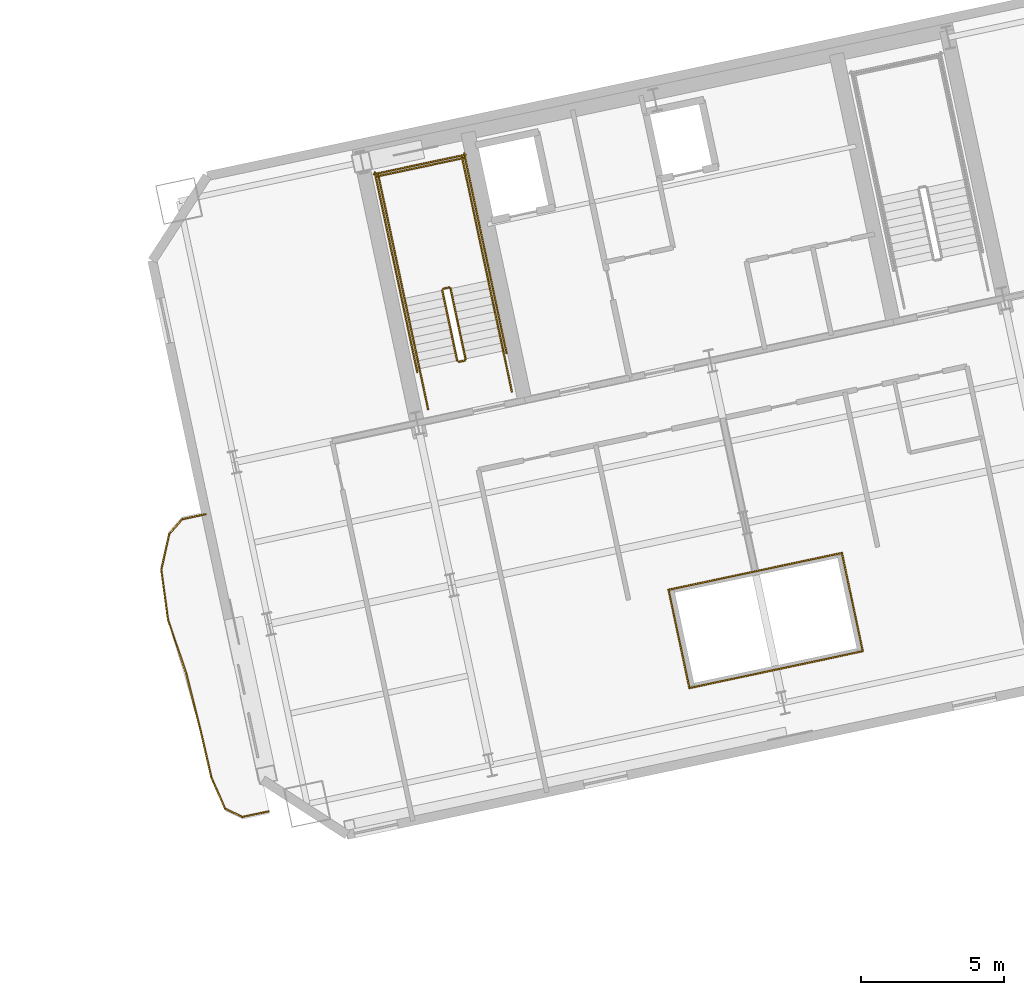
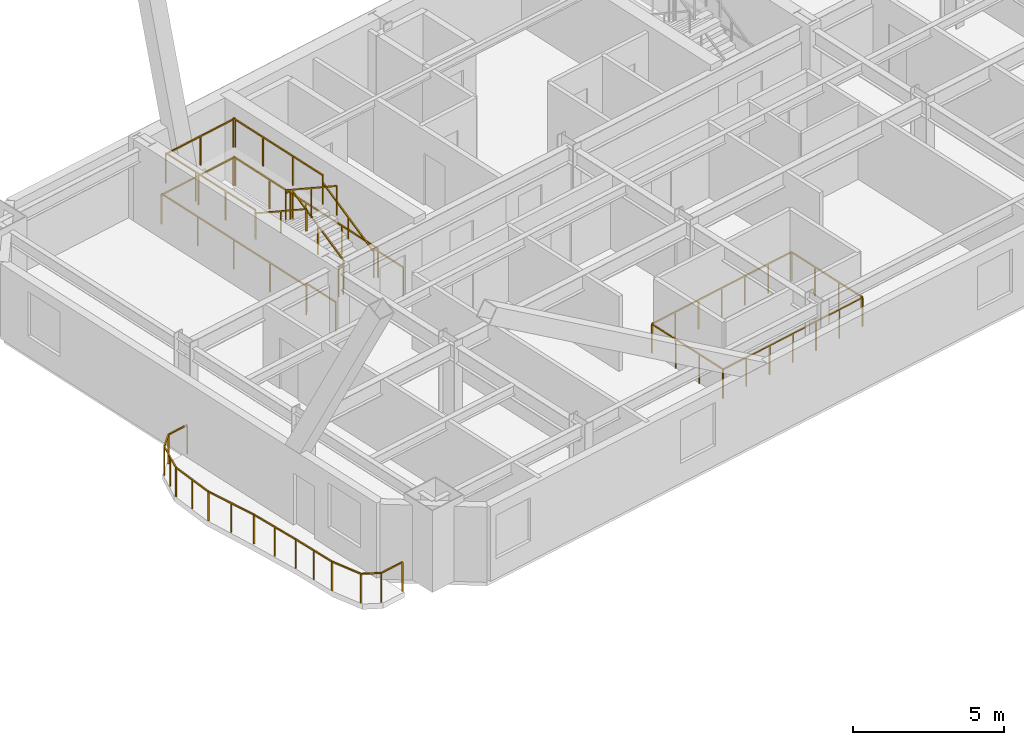
# One storey, part 13 of 14: 28 railings.
"""IFC4 building model written with IfcOpenShell, lengths in metres."""

from ifc_helpers import new_model, si_unit, direction, frame, origin, origin_2d, place, context, subcontext, project, spatial, rectangle, extrude, material, type_object, element, save


model = new_model("IFC4")

# Units and contexts
model_context = context("Model", 3, precision=1e-05, world=origin(), true_north=direction((0.0, 1.0)))
body_context = subcontext(model_context, "Body", "Model", "MODEL_VIEW")
ifc_project = project(units=[si_unit("LENGTHUNIT", "METRE"), si_unit("AREAUNIT", "SQUARE_METRE"), si_unit("VOLUMEUNIT", "CUBIC_METRE"), si_unit("PLANEANGLEUNIT", "RADIAN"), si_unit("MASSUNIT", "GRAM", prefix="KILO")], contexts=[model_context])

# Site, building, storey
site_placement = place(None, origin())
site = spatial("IfcSite", under=ifc_project, at=site_placement, CompositionType="ELEMENT")
building_placement = place(site_placement, origin())
building = spatial("IfcBuilding", under=site, at=building_placement, Name="Haevon Station Towers", CompositionType="ELEMENT")
storey_placement = place(building_placement, frame((0.0, 0.0, 123.0)))
storey = spatial("IfcBuildingStorey", under=building, at=storey_placement, Name="L33", CompositionType="ELEMENT", Elevation=123.0)

# Railings
ifc_material = material(Name="Steel S355", Category="steel")
railing_type_1 = type_object("IfcRailingType", Name="BAL-ATR1200", PredefinedType="BALUSTRADE", material=ifc_material)
railing_1_placement = place(storey_placement, frame((108.28564453125, 28.16259765625, 0.0)))
element("IfcRailing", 1, at=railing_1_placement, inside=storey, type_object=railing_type_1, Name="L33 Atrium Void Balustrade 1", PredefinedType="BALUSTRADE", context=body_context, shape_type="SweptSolid", body=[
    extrude(rectangle(XDim=0.048095703125, YDim=0.048095703125, at=origin_2d()), frame((0.0, 0.0, 1.17578125), z_axis=(0.978152054879, 0.207890734609, 0.0), x_axis=(-0.207890734609, 0.978152054879, 0.0)), (0.0, 0.0, 1.0), 6.208984375),
    extrude(rectangle(XDim=0.0419921875, YDim=0.0419921875, at=origin_2d()), origin(), (0.0, 0.0, 1.0), 1.15185546875),
    extrude(rectangle(XDim=0.0419921875, YDim=0.0419921875, at=origin_2d()), frame((1.01220703125, 0.215087890625, 0.0)), (0.0, 0.0, 1.0), 1.15185546875),
    extrude(rectangle(XDim=0.0419921875, YDim=0.0419921875, at=origin_2d()), frame((2.0244140625, 0.43017578125, 0.0)), (0.0, 0.0, 1.0), 1.15185546875),
    extrude(rectangle(XDim=0.0419921875, YDim=0.0419921875, at=origin_2d()), frame((3.03662109375, 0.6455078125, 0.0)), (0.0, 0.0, 1.0), 1.15185546875),
    extrude(rectangle(XDim=0.0419921875, YDim=0.0419921875, at=origin_2d()), frame((4.048828125, 0.860595703125, 0.0)), (0.0, 0.0, 1.0), 1.15185546875),
    extrude(rectangle(XDim=0.0419921875, YDim=0.0419921875, at=origin_2d()), frame((5.06103515625, 1.07568359375, 0.0)), (0.0, 0.0, 1.0), 1.15185546875),
    extrude(rectangle(XDim=0.0419921875, YDim=0.0419921875, at=origin_2d()), frame((6.0732421875, 1.290771484375, 0.0)), (0.0, 0.0, 1.0), 1.15185546875),
])
railing_2_placement = place(storey_placement, frame((114.35888671875, 29.453369140625, 0.0)))
element("IfcRailing", 2, at=railing_2_placement, inside=storey, type_object=railing_type_1, Name="L33 Atrium Void Balustrade 2", PredefinedType="BALUSTRADE", context=body_context, shape_type="SweptSolid", body=[
    extrude(rectangle(XDim=0.048095703125, YDim=0.048095703125, at=origin_2d()), frame((0.0, 0.0, 1.17578125), z_axis=(-0.207964983384, 0.978136271532, 0.0), x_axis=(-0.978136271532, -0.207964983384, 0.0)), (0.0, 0.0, 1.0), 3.518310546875),
    extrude(rectangle(XDim=0.0419921875, YDim=0.0419921875, at=origin_2d()), origin(), (0.0, 0.0, 1.0), 1.15185546875),
    extrude(rectangle(XDim=0.0419921875, YDim=0.0419921875, at=origin_2d()), frame((-0.243896484375, 1.147216796875, 0.0)), (0.0, 0.0, 1.0), 1.15185546875),
    extrude(rectangle(XDim=0.0419921875, YDim=0.0419921875, at=origin_2d()), frame((-0.48779296875, 2.294189453125, 0.0)), (0.0, 0.0, 1.0), 1.15185546875),
    extrude(rectangle(XDim=0.0419921875, YDim=0.0419921875, at=origin_2d()), frame((-0.731689453125, 3.44140625, 0.0)), (0.0, 0.0, 1.0), 1.15185546875),
])
railing_3_placement = place(storey_placement, frame((113.627197265625, 32.894775390625, 0.0)))
element("IfcRailing", 3, at=railing_3_placement, inside=storey, type_object=railing_type_1, Name="L33 Atrium Void Balustrade 3", PredefinedType="BALUSTRADE", context=body_context, shape_type="SweptSolid", body=[
    extrude(rectangle(XDim=0.048095703125, YDim=0.048095703125, at=origin_2d()), frame((0.0, 0.0, 1.17578125), z_axis=(-0.978150355379, -0.20789873081, 0.0), x_axis=(0.20789873081, -0.978150355379, 0.0)), (0.0, 0.0, 1.0), 6.208740234375),
    extrude(rectangle(XDim=0.0419921875, YDim=0.0419921875, at=origin_2d()), origin(), (0.0, 0.0, 1.0), 1.15185546875),
    extrude(rectangle(XDim=0.0419921875, YDim=0.0419921875, at=origin_2d()), frame((-1.01220703125, -0.215087890625, 0.0)), (0.0, 0.0, 1.0), 1.15185546875),
    extrude(rectangle(XDim=0.0419921875, YDim=0.0419921875, at=origin_2d()), frame((-2.0244140625, -0.43017578125, 0.0)), (0.0, 0.0, 1.0), 1.15185546875),
    extrude(rectangle(XDim=0.0419921875, YDim=0.0419921875, at=origin_2d()), frame((-3.03662109375, -0.6455078125, 0.0)), (0.0, 0.0, 1.0), 1.15185546875),
    extrude(rectangle(XDim=0.0419921875, YDim=0.0419921875, at=origin_2d()), frame((-4.048583984375, -0.860595703125, 0.0)), (0.0, 0.0, 1.0), 1.15185546875),
    extrude(rectangle(XDim=0.0419921875, YDim=0.0419921875, at=origin_2d()), frame((-5.060791015625, -1.07568359375, 0.0)), (0.0, 0.0, 1.0), 1.15185546875),
    extrude(rectangle(XDim=0.0419921875, YDim=0.0419921875, at=origin_2d()), frame((-6.072998046875, -1.290771484375, 0.0)), (0.0, 0.0, 1.0), 1.15185546875),
])
railing_4_placement = place(storey_placement, frame((107.55419921875, 31.60400390625, 0.0)))
element("IfcRailing", 4, at=railing_4_placement, inside=storey, type_object=railing_type_1, Name="L33 Atrium Void Balustrade 4", PredefinedType="BALUSTRADE", context=body_context, shape_type="SweptSolid", body=[
    extrude(rectangle(XDim=0.048095703125, YDim=0.048095703125, at=origin_2d()), frame((0.0, 0.0, 1.17578125), z_axis=(0.207898592019, -0.978150384878, 0.0), x_axis=(0.978150384878, 0.207898592019, 0.0)), (0.0, 0.0, 1.0), 3.518310546875),
    extrude(rectangle(XDim=0.0419921875, YDim=0.0419921875, at=origin_2d()), origin(), (0.0, 0.0, 1.0), 1.15185546875),
    extrude(rectangle(XDim=0.0419921875, YDim=0.0419921875, at=origin_2d()), frame((0.243896484375, -1.147216796875, 0.0)), (0.0, 0.0, 1.0), 1.15185546875),
    extrude(rectangle(XDim=0.0419921875, YDim=0.0419921875, at=origin_2d()), frame((0.487548828125, -2.294189453125, 0.0)), (0.0, 0.0, 1.0), 1.15185546875),
    extrude(rectangle(XDim=0.0419921875, YDim=0.0419921875, at=origin_2d()), frame((0.7314453125, -3.44140625, 0.0)), (0.0, 0.0, 1.0), 1.15185546875),
])
railing_type_2 = type_object("IfcRailingType", Name="GRD-EXT1200", PredefinedType="GUARDRAIL", material=ifc_material)
railing_5_placement = place(storey_placement, frame((91.329833984375, 34.251708984375, 0.0)))
element("IfcRailing", 5, at=railing_5_placement, inside=storey, type_object=railing_type_2, Name="L33 Perimeter Guardrail 1", PredefinedType="GUARDRAIL", context=body_context, shape_type="SweptSolid", body=[
    extrude(rectangle(XDim=0.048095703125, YDim=0.048095703125, at=origin_2d()), frame((0.0, 0.0, 1.17578125), z_axis=(-0.977678572445, -0.210106185017, 0.0), x_axis=(0.210106185017, -0.977678572445, 0.0)), (0.0, 0.0, 1.0), 0.837890625),
    extrude(rectangle(XDim=0.0419921875, YDim=0.0419921875, at=origin_2d()), origin(), (0.0, 0.0, 1.0), 1.15185546875),
    extrude(rectangle(XDim=0.0419921875, YDim=0.0419921875, at=origin_2d()), frame((-0.819091796875, -0.176025390625, 0.0)), (0.0, 0.0, 1.0), 1.15185546875),
])
railing_6_placement = place(storey_placement, frame((90.5107421875, 34.07568359375, 0.0)))
element("IfcRailing", 6, at=railing_6_placement, inside=storey, type_object=railing_type_2, Name="L33 Perimeter Guardrail 2", PredefinedType="GUARDRAIL", context=body_context, shape_type="SweptSolid", body=[
    extrude(rectangle(XDim=0.048095703125, YDim=0.048095703125, at=origin_2d()), frame((0.0, 0.0, 1.17578125), z_axis=(-0.660060025651, -0.751212861004, 0.0), x_axis=(0.751212861004, -0.660060025651, 0.0)), (0.0, 0.0, 1.0), 0.688232421875),
    extrude(rectangle(XDim=0.0419921875, YDim=0.0419921875, at=origin_2d()), origin(), (0.0, 0.0, 1.0), 1.15185546875),
    extrude(rectangle(XDim=0.0419921875, YDim=0.0419921875, at=origin_2d()), frame((-0.454345703125, -0.51708984375, 0.0)), (0.0, 0.0, 1.0), 1.15185546875),
])
railing_7_placement = place(storey_placement, frame((90.056396484375, 33.55859375, 0.0)))
element("IfcRailing", 7, at=railing_7_placement, inside=storey, type_object=railing_type_2, Name="L33 Perimeter Guardrail 3", PredefinedType="GUARDRAIL", context=body_context, shape_type="SweptSolid", body=[
    extrude(rectangle(XDim=0.048095703125, YDim=0.048095703125, at=origin_2d()), frame((0.0, 0.0, 1.17578125), z_axis=(-0.215702809337, -0.97645906112, 0.0), x_axis=(0.97645906112, -0.215702809337, 0.0)), (0.0, 0.0, 1.0), 1.28466796875),
    extrude(rectangle(XDim=0.0419921875, YDim=0.0419921875, at=origin_2d()), origin(), (0.0, 0.0, 1.0), 1.15185546875),
    extrude(rectangle(XDim=0.0419921875, YDim=0.0419921875, at=origin_2d()), frame((-0.138671875, -0.627197265625, 0.0)), (0.0, 0.0, 1.0), 1.15185546875),
    extrude(rectangle(XDim=0.0419921875, YDim=0.0419921875, at=origin_2d()), frame((-0.277099609375, -1.25439453125, 0.0)), (0.0, 0.0, 1.0), 1.15185546875),
])
railing_8_placement = place(storey_placement, frame((89.779296875, 32.30419921875, 0.0)))
element("IfcRailing", 8, at=railing_8_placement, inside=storey, type_object=railing_type_2, Name="L33 Perimeter Guardrail 4", PredefinedType="GUARDRAIL", context=body_context, shape_type="SweptSolid", body=[
    extrude(rectangle(XDim=0.048095703125, YDim=0.048095703125, at=origin_2d()), frame((0.0, 0.0, 1.17578125), z_axis=(0.134435548682, -0.990922339667, 0.0), x_axis=(0.990922339667, 0.134435548682, 0.0)), (0.0, 0.0, 1.0), 1.75244140625),
    extrude(rectangle(XDim=0.0419921875, YDim=0.0419921875, at=origin_2d()), origin(), (0.0, 0.0, 1.0), 1.15185546875),
    extrude(rectangle(XDim=0.0419921875, YDim=0.0419921875, at=origin_2d()), frame((0.11767578125, -0.8681640625, 0.0)), (0.0, 0.0, 1.0), 1.15185546875),
    extrude(rectangle(XDim=0.0419921875, YDim=0.0419921875, at=origin_2d()), frame((0.235595703125, -1.736572265625, 0.0)), (0.0, 0.0, 1.0), 1.15185546875),
])
railing_9_placement = place(storey_placement, frame((90.014892578125, 30.567626953125, 0.0)))
element("IfcRailing", 9, at=railing_9_placement, inside=storey, type_object=railing_type_2, Name="L33 Perimeter Guardrail 5", PredefinedType="GUARDRAIL", context=body_context, shape_type="SweptSolid", body=[
    extrude(rectangle(XDim=0.048095703125, YDim=0.048095703125, at=origin_2d()), frame((0.0, 0.0, 1.17578125), z_axis=(0.318856293705, -0.947803072354, 0.0), x_axis=(0.947803072354, 0.318856293705, 0.0)), (0.0, 0.0, 1.0), 2.00537109375),
    extrude(rectangle(XDim=0.0419921875, YDim=0.0419921875, at=origin_2d()), origin(), (0.0, 0.0, 1.0), 1.15185546875),
    extrude(rectangle(XDim=0.0419921875, YDim=0.0419921875, at=origin_2d()), frame((0.31982421875, -0.9501953125, 0.0)), (0.0, 0.0, 1.0), 1.15185546875),
    extrude(rectangle(XDim=0.0419921875, YDim=0.0419921875, at=origin_2d()), frame((0.639404296875, -1.900634765625, 0.0)), (0.0, 0.0, 1.0), 1.15185546875),
])
railing_10_placement = place(storey_placement, frame((90.654296875, 28.6669921875, 0.0)))
element("IfcRailing", 10, at=railing_10_placement, inside=storey, type_object=railing_type_2, Name="L33 Perimeter Guardrail 6", PredefinedType="GUARDRAIL", context=body_context, shape_type="SweptSolid", body=[
    extrude(rectangle(XDim=0.048095703125, YDim=0.048095703125, at=origin_2d()), frame((0.0, 0.0, 1.17578125), z_axis=(0.245103723825, -0.969496861556, 0.0), x_axis=(0.969496861556, 0.245103723825, 0.0)), (0.0, 0.0, 1.0), 1.990234375),
    extrude(rectangle(XDim=0.0419921875, YDim=0.0419921875, at=origin_2d()), origin(), (0.0, 0.0, 1.0), 1.15185546875),
    extrude(rectangle(XDim=0.0419921875, YDim=0.0419921875, at=origin_2d()), frame((0.243896484375, -0.96484375, 0.0)), (0.0, 0.0, 1.0), 1.15185546875),
    extrude(rectangle(XDim=0.0419921875, YDim=0.0419921875, at=origin_2d()), frame((0.48779296875, -1.929443359375, 0.0)), (0.0, 0.0, 1.0), 1.15185546875),
])
railing_11_placement = place(storey_placement, frame((91.14208984375, 26.737548828125, 0.0)))
element("IfcRailing", 11, at=railing_11_placement, inside=storey, type_object=railing_type_2, Name="L33 Perimeter Guardrail 7", PredefinedType="GUARDRAIL", context=body_context, shape_type="SweptSolid", body=[
    extrude(rectangle(XDim=0.048095703125, YDim=0.048095703125, at=origin_2d()), frame((0.0, 0.0, 1.17578125), z_axis=(0.225103963222, -0.974334750351, 0.0), x_axis=(0.974334750351, 0.225103963222, 0.0)), (0.0, 0.0, 1.0), 1.75048828125),
    extrude(rectangle(XDim=0.0419921875, YDim=0.0419921875, at=origin_2d()), origin(), (0.0, 0.0, 1.0), 1.15185546875),
    extrude(rectangle(XDim=0.0419921875, YDim=0.0419921875, at=origin_2d()), frame((0.197021484375, -0.852783203125, 0.0)), (0.0, 0.0, 1.0), 1.15185546875),
    extrude(rectangle(XDim=0.0419921875, YDim=0.0419921875, at=origin_2d()), frame((0.39404296875, -1.70556640625, 0.0)), (0.0, 0.0, 1.0), 1.15185546875),
])
railing_12_placement = place(storey_placement, frame((91.5361328125, 25.031982421875, 0.0)))
element("IfcRailing", 12, at=railing_12_placement, inside=storey, type_object=railing_type_2, Name="L33 Perimeter Guardrail 8", PredefinedType="GUARDRAIL", context=body_context, shape_type="SweptSolid", body=[
    extrude(rectangle(XDim=0.048095703125, YDim=0.048095703125, at=origin_2d()), frame((0.0, 0.0, 1.17578125), z_axis=(0.399069961268, -0.916920479656, 0.0), x_axis=(0.916920479656, 0.399069961268, 0.0)), (0.0, 0.0, 1.0), 1.194091796875),
    extrude(rectangle(XDim=0.0419921875, YDim=0.0419921875, at=origin_2d()), origin(), (0.0, 0.0, 1.0), 1.15185546875),
    extrude(rectangle(XDim=0.0419921875, YDim=0.0419921875, at=origin_2d()), frame((0.4765625, -1.094970703125, 0.0)), (0.0, 0.0, 1.0), 1.15185546875),
])
railing_13_placement = place(storey_placement, frame((92.0126953125, 23.93701171875, 0.0)))
element("IfcRailing", 13, at=railing_13_placement, inside=storey, type_object=railing_type_2, Name="L33 Perimeter Guardrail 9", PredefinedType="GUARDRAIL", context=body_context, shape_type="SweptSolid", body=[
    extrude(rectangle(XDim=0.048095703125, YDim=0.048095703125, at=origin_2d()), frame((0.0, 0.0, 1.17578125), z_axis=(0.901562667604, -0.432648536786, 0.0), x_axis=(0.432648536786, 0.901562667604, 0.0)), (0.0, 0.0, 1.0), 0.673095703125),
    extrude(rectangle(XDim=0.0419921875, YDim=0.0419921875, at=origin_2d()), origin(), (0.0, 0.0, 1.0), 1.15185546875),
    extrude(rectangle(XDim=0.0419921875, YDim=0.0419921875, at=origin_2d()), frame((0.60693359375, -0.291259765625, 0.0)), (0.0, 0.0, 1.0), 1.15185546875),
])
railing_14_placement = place(storey_placement, frame((92.61962890625, 23.645751953125, 0.0)))
element("IfcRailing", 14, at=railing_14_placement, inside=storey, type_object=railing_type_2, Name="L33 Perimeter Guardrail 10", PredefinedType="GUARDRAIL", context=body_context, shape_type="SweptSolid", body=[
    extrude(rectangle(XDim=0.048095703125, YDim=0.048095703125, at=origin_2d()), frame((0.0, 0.0, 1.17578125), z_axis=(0.978612883571, 0.205710534754, 0.0), x_axis=(-0.205710534754, 0.978612883571, 0.0)), (0.0, 0.0, 1.0), 0.943603515625),
    extrude(rectangle(XDim=0.0419921875, YDim=0.0419921875, at=origin_2d()), origin(), (0.0, 0.0, 1.0), 1.15185546875),
    extrude(rectangle(XDim=0.0419921875, YDim=0.0419921875, at=origin_2d()), frame((0.92333984375, 0.194091796875, 0.0)), (0.0, 0.0, 1.0), 1.15185546875),
])
railing_type_3 = type_object("IfcRailingType", Name="GRD-STR1200", PredefinedType="GUARDRAIL", material=ifc_material)
railing_15_placement = place(storey_placement, frame((100.44140625, 39.69287109375, 0.1650390625)))
element("IfcRailing", 15, at=railing_15_placement, inside=storey, type_object=railing_type_3, Name="L33 ST3 Stair Guard 1", PredefinedType="GUARDRAIL", context=body_context, shape_type="SweptSolid", body=[
    extrude(rectangle(XDim=0.048095703125, YDim=0.048095703125, at=origin_2d()), frame((0.0, 0.0, 1.17578125), z_axis=(-0.179128856099, 0.842723639875, 0.507670877349), x_axis=(-0.978147030254, -0.207914374695, 0.0)), (0.0, 0.0, 1.0), 2.9248046875),
    extrude(rectangle(XDim=0.0419921875, YDim=0.0419921875, at=origin_2d()), origin(), (0.0, 0.0, 1.0), 1.15185546875),
    extrude(rectangle(XDim=0.0419921875, YDim=0.0419921875, at=origin_2d()), frame((-0.261962890625, 1.232421875, 0.742431640625)), (0.0, 0.0, 1.0), 1.15185546875),
    extrude(rectangle(XDim=0.0419921875, YDim=0.0419921875, at=origin_2d()), frame((-0.52392578125, 2.46484375, 1.48486328125)), (0.0, 0.0, 1.0), 1.15185546875),
])
railing_16_placement = place(storey_placement, frame((99.858154296875, 42.1962890625, 1.64990234375)))
element("IfcRailing", 16, at=railing_16_placement, inside=storey, type_object=railing_type_3, Name="L33 ST3 Stair Guard 2", PredefinedType="GUARDRAIL", context=body_context, shape_type="SweptSolid", body=[
    extrude(rectangle(XDim=0.048095703125, YDim=0.048095703125, at=origin_2d()), frame((0.0, 0.0, 1.17578125), z_axis=(-0.977962931203, -0.208778603291, 0.0), x_axis=(0.208778603291, -0.977962931203, 0.0)), (0.0, 0.0, 1.0), 0.199951171875),
    extrude(rectangle(XDim=0.0419921875, YDim=0.0419921875, at=origin_2d()), origin(), (0.0, 0.0, 1.0), 1.15185546875),
    extrude(rectangle(XDim=0.0419921875, YDim=0.0419921875, at=origin_2d()), frame((-0.195556640625, -0.041748046875, 0.0)), (0.0, 0.0, 1.0), 1.15185546875),
])
railing_17_placement = place(storey_placement, frame((101.238037109375, 42.4384765625, 1.64990234375)))
element("IfcRailing", 17, at=railing_17_placement, inside=storey, type_object=railing_type_3, Name="L33 ST3 Stair Guard 3", PredefinedType="GUARDRAIL", context=body_context, shape_type="SweptSolid", body=[
    extrude(rectangle(XDim=0.048095703125, YDim=0.048095703125, at=origin_2d()), frame((0.0, 0.0, 1.17578125), z_axis=(-0.20794048909, 0.978141479029, 0.0), x_axis=(-0.978141479029, -0.20794048909, 0.0)), (0.0, 0.0, 1.0), 4.429931640625),
    extrude(rectangle(XDim=0.0419921875, YDim=0.0419921875, at=origin_2d()), origin(), (0.0, 0.0, 1.0), 1.15185546875),
    extrude(rectangle(XDim=0.0419921875, YDim=0.0419921875, at=origin_2d()), frame((-0.30712890625, 1.4443359375, 0.0)), (0.0, 0.0, 1.0), 1.15185546875),
    extrude(rectangle(XDim=0.0419921875, YDim=0.0419921875, at=origin_2d()), frame((-0.614013671875, 2.888671875, 0.0)), (0.0, 0.0, 1.0), 1.15185546875),
    extrude(rectangle(XDim=0.0419921875, YDim=0.0419921875, at=origin_2d()), frame((-0.921142578125, 4.3330078125, 0.0)), (0.0, 0.0, 1.0), 1.15185546875),
])
railing_18_placement = place(storey_placement, frame((98.303466796875, 41.814697265625, 1.64990234375)))
element("IfcRailing", 18, at=railing_18_placement, inside=storey, type_object=railing_type_3, Name="L33 ST3 Stair Guard 4", PredefinedType="GUARDRAIL", context=body_context, shape_type="SweptSolid", body=[
    extrude(rectangle(XDim=0.048095703125, YDim=0.048095703125, at=origin_2d()), frame((0.0, 0.0, 1.17578125), z_axis=(-0.207876551949, 0.978155069071, 0.0), x_axis=(-0.978155069071, -0.207876551949, 0.0)), (0.0, 0.0, 1.0), 4.429931640625),
    extrude(rectangle(XDim=0.0419921875, YDim=0.0419921875, at=origin_2d()), origin(), (0.0, 0.0, 1.0), 1.15185546875),
    extrude(rectangle(XDim=0.0419921875, YDim=0.0419921875, at=origin_2d()), frame((-0.306884765625, 1.4443359375, 0.0)), (0.0, 0.0, 1.0), 1.15185546875),
    extrude(rectangle(XDim=0.0419921875, YDim=0.0419921875, at=origin_2d()), frame((-0.614013671875, 2.888916015625, 0.0)), (0.0, 0.0, 1.0), 1.15185546875),
    extrude(rectangle(XDim=0.0419921875, YDim=0.0419921875, at=origin_2d()), frame((-0.9208984375, 4.333251953125, 0.0)), (0.0, 0.0, 1.0), 1.15185546875),
])
railing_19_placement = place(storey_placement, frame((100.376220703125, 46.733154296875, 1.64990234375)))
element("IfcRailing", 19, at=railing_19_placement, inside=storey, type_object=railing_type_3, Name="L33 ST3 Stair Guard 5", PredefinedType="GUARDRAIL", context=body_context, shape_type="SweptSolid", body=[
    extrude(rectangle(XDim=0.048095703125, YDim=0.048095703125, at=origin_2d()), frame((0.0, 0.0, 1.17578125), z_axis=(-0.978146839882, -0.207915270313, 0.0), x_axis=(0.207915270313, -0.978146839882, 0.0)), (0.0, 0.0, 1.0), 3.099853515625),
    extrude(rectangle(XDim=0.0419921875, YDim=0.0419921875, at=origin_2d()), origin(), (0.0, 0.0, 1.0), 1.15185546875),
    extrude(rectangle(XDim=0.0419921875, YDim=0.0419921875, at=origin_2d()), frame((-1.51611328125, -0.322265625, 0.0)), (0.0, 0.0, 1.0), 1.15185546875),
    extrude(rectangle(XDim=0.0419921875, YDim=0.0419921875, at=origin_2d()), frame((-3.0322265625, -0.64453125, 0.0)), (0.0, 0.0, 1.0), 1.15185546875),
])
railing_20_placement = place(storey_placement, frame((99.6240234375, 42.09521484375, 1.81494140625)))
element("IfcRailing", 20, at=railing_20_placement, inside=storey, type_object=railing_type_3, Name="L33 ST3 Stair Guard 6", PredefinedType="GUARDRAIL", context=body_context, shape_type="SweptSolid", body=[
    extrude(rectangle(XDim=0.048095703125, YDim=0.048095703125, at=origin_2d()), frame((0.0, 0.0, 1.17578125), z_axis=(0.179121265225, -0.842687928106, 0.507732831485), x_axis=(0.978147030254, 0.207914374695, 0.0)), (0.0, 0.0, 1.0), 2.925048828125),
    extrude(rectangle(XDim=0.0419921875, YDim=0.0419921875, at=origin_2d()), origin(), (0.0, 0.0, 1.0), 1.15185546875),
    extrude(rectangle(XDim=0.0419921875, YDim=0.0419921875, at=origin_2d()), frame((0.261962890625, -1.232421875, 0.74267578125)), (0.0, 0.0, 1.0), 1.15185546875),
    extrude(rectangle(XDim=0.0419921875, YDim=0.0419921875, at=origin_2d()), frame((0.52392578125, -2.46484375, 1.485107421875)), (0.0, 0.0, 1.0), 1.15185546875),
])
railing_21_placement = place(storey_placement, frame((100.40283203125, 39.633544921875, 0.0)))
element("IfcRailing", 21, at=railing_21_placement, inside=storey, type_object=railing_type_3, Name="L33 ST3 Stair Guard 7", PredefinedType="GUARDRAIL", context=body_context, shape_type="SweptSolid", body=[
    extrude(rectangle(XDim=0.048095703125, YDim=0.048095703125, at=origin_2d()), frame((0.0, 0.0, 1.17578125), z_axis=(-0.977962931203, -0.208778603291, 0.0), x_axis=(0.208778603291, -0.977962931203, 0.0)), (0.0, 0.0, 1.0), 0.199951171875),
    extrude(rectangle(XDim=0.0419921875, YDim=0.0419921875, at=origin_2d()), origin(), (0.0, 0.0, 1.0), 1.15185546875),
    extrude(rectangle(XDim=0.0419921875, YDim=0.0419921875, at=origin_2d()), frame((-0.195556640625, -0.041748046875, 0.0)), (0.0, 0.0, 1.0), 1.15185546875),
])
for number, where, name in (
    (22, (102.0634765625, 38.55517578125, 0.0), "L33 ST3 Stair Guard 8"),
    (23, (99.12890625, 37.931396484375, 0.0), "L33 ST3 Stair Guard 9"),
):
    element("IfcRailing", number, at=place(storey_placement, frame(where)), inside=storey, type_object=railing_type_3, Name=name, PredefinedType="GUARDRAIL", context=body_context, shape_type="SweptSolid", body=[
        extrude(rectangle(XDim=0.048095703125, YDim=0.048095703125, at=origin_2d()), frame((0.0, 0.0, 1.17578125), z_axis=(-0.207953405961, 0.978138732977, 0.0), x_axis=(-0.978138732977, -0.207953405961, 0.0)), (0.0, 0.0, 1.0), 1.449951171875),
        extrude(rectangle(XDim=0.0419921875, YDim=0.0419921875, at=origin_2d()), origin(), (0.0, 0.0, 1.0), 1.15185546875),
        extrude(rectangle(XDim=0.0419921875, YDim=0.0419921875, at=origin_2d()), frame((-0.301513671875, 1.418212890625, 0.0)), (0.0, 0.0, 1.0), 1.15185546875),
    ])
railing_22_placement = place(storey_placement, frame((101.88037109375, 39.896484375, 0.0)))
element("IfcRailing", 24, at=railing_22_placement, inside=storey, type_object=railing_type_3, Name="L33 ST3 Stair Guard 10", PredefinedType="GUARDRAIL", context=body_context, shape_type="SweptSolid", body=[
    extrude(rectangle(XDim=0.048095703125, YDim=0.048095703125, at=origin_2d()), frame((0.0, 0.0, 1.17578125), z_axis=(-0.207882442208, 0.978153817261, 0.0), x_axis=(-0.978153817261, -0.207882442208, 0.0)), (0.0, 0.0, 1.0), 7.14990234375),
    extrude(rectangle(XDim=0.0419921875, YDim=0.0419921875, at=origin_2d()), origin(), (0.0, 0.0, 1.0), 1.15185546875),
    extrude(rectangle(XDim=0.0419921875, YDim=0.0419921875, at=origin_2d()), frame((-0.37158203125, 1.74853515625, 0.0)), (0.0, 0.0, 1.0), 1.15185546875),
    extrude(rectangle(XDim=0.0419921875, YDim=0.0419921875, at=origin_2d()), frame((-0.7431640625, 3.496826171875, 0.0)), (0.0, 0.0, 1.0), 1.15185546875),
    extrude(rectangle(XDim=0.0419921875, YDim=0.0419921875, at=origin_2d()), frame((-1.11474609375, 5.2451171875, 0.0)), (0.0, 0.0, 1.0), 1.15185546875),
    extrude(rectangle(XDim=0.0419921875, YDim=0.0419921875, at=origin_2d()), frame((-1.486328125, 6.99365234375, 0.0)), (0.0, 0.0, 1.0), 1.15185546875),
])
railing_23_placement = place(storey_placement, frame((98.75048828125, 39.231201171875, 0.0)))
element("IfcRailing", 25, at=railing_23_placement, inside=storey, type_object=railing_type_3, Name="L33 ST3 Stair Guard 11", PredefinedType="GUARDRAIL", context=body_context, shape_type="SweptSolid", body=[
    extrude(rectangle(XDim=0.048095703125, YDim=0.048095703125, at=origin_2d()), frame((0.0, 0.0, 1.17578125), z_axis=(-0.207915112487, 0.978146873429, 0.0), x_axis=(-0.978146873429, -0.207915112487, 0.0)), (0.0, 0.0, 1.0), 7.14990234375),
    extrude(rectangle(XDim=0.0419921875, YDim=0.0419921875, at=origin_2d()), origin(), (0.0, 0.0, 1.0), 1.15185546875),
    extrude(rectangle(XDim=0.0419921875, YDim=0.0419921875, at=origin_2d()), frame((-0.37158203125, 1.74853515625, 0.0)), (0.0, 0.0, 1.0), 1.15185546875),
    extrude(rectangle(XDim=0.0419921875, YDim=0.0419921875, at=origin_2d()), frame((-0.7431640625, 3.496826171875, 0.0)), (0.0, 0.0, 1.0), 1.15185546875),
    extrude(rectangle(XDim=0.0419921875, YDim=0.0419921875, at=origin_2d()), frame((-1.114990234375, 5.2451171875, 0.0)), (0.0, 0.0, 1.0), 1.15185546875),
    extrude(rectangle(XDim=0.0419921875, YDim=0.0419921875, at=origin_2d()), frame((-1.486572265625, 6.99365234375, 0.0)), (0.0, 0.0, 1.0), 1.15185546875),
])
railing_24_placement = place(storey_placement, frame((100.453125, 46.8515625, 0.0)))
element("IfcRailing", 26, at=railing_24_placement, inside=storey, type_object=railing_type_3, Name="L33 ST3 Stair Guard 12", PredefinedType="GUARDRAIL", context=body_context, shape_type="SweptSolid", body=[
    extrude(rectangle(XDim=0.048095703125, YDim=0.048095703125, at=origin_2d()), frame((0.0, 0.0, 1.17578125), z_axis=(-0.978150764849, -0.207896804268, 0.0), x_axis=(0.207896804268, -0.978150764849, 0.0)), (0.0, 0.0, 1.0), 3.2998046875),
    extrude(rectangle(XDim=0.0419921875, YDim=0.0419921875, at=origin_2d()), origin(), (0.0, 0.0, 1.0), 1.15185546875),
    extrude(rectangle(XDim=0.0419921875, YDim=0.0419921875, at=origin_2d()), frame((-1.61376953125, -0.343017578125, 0.0)), (0.0, 0.0, 1.0), 1.15185546875),
    extrude(rectangle(XDim=0.0419921875, YDim=0.0419921875, at=origin_2d()), frame((-3.227783203125, -0.68603515625, 0.0)), (0.0, 0.0, 1.0), 1.15185546875),
])
railing_type_4 = type_object("IfcRailingType", Name="HND-STR900", PredefinedType="HANDRAIL", material=ifc_material)
railing_25_placement = place(storey_placement, frame((101.761962890625, 39.973388671875, 0.1650390625)))
element("IfcRailing", 27, at=railing_25_placement, inside=storey, type_object=railing_type_4, Name="L33 ST3 Stair Handrail 1", PredefinedType="HANDRAIL", context=body_context, shape_type="SweptSolid", body=[
    extrude(rectangle(XDim=0.048095703125, YDim=0.048095703125, at=origin_2d()), frame((0.0, 0.0, 0.8759765625), z_axis=(-0.179116256339, 0.842747828638, 0.507635168246), x_axis=(-0.978151217824, -0.207894673017, 0.0)), (0.0, 0.0, 1.0), 2.925048828125),
    extrude(rectangle(XDim=0.0419921875, YDim=0.0419921875, at=origin_2d()), origin(), (0.0, 0.0, 1.0), 0.851806640625),
    extrude(rectangle(XDim=0.0419921875, YDim=0.0419921875, at=origin_2d()), frame((-0.261962890625, 1.232421875, 0.742431640625)), (0.0, 0.0, 1.0), 0.851806640625),
    extrude(rectangle(XDim=0.0419921875, YDim=0.0419921875, at=origin_2d()), frame((-0.52392578125, 2.465087890625, 1.48486328125)), (0.0, 0.0, 1.0), 0.851806640625),
])
railing_26_placement = place(storey_placement, frame((98.303466796875, 41.814697265625, 1.81494140625)))
element("IfcRailing", 28, at=railing_26_placement, inside=storey, type_object=railing_type_4, Name="L33 ST3 Stair Handrail 2", PredefinedType="HANDRAIL", context=body_context, shape_type="SweptSolid", body=[
    extrude(rectangle(XDim=0.048095703125, YDim=0.048095703125, at=origin_2d()), frame((0.0, 0.0, 0.8759765625), z_axis=(0.179108667068, -0.842712120868, 0.50769712105), x_axis=(0.978151217824, 0.207894673017, 0.0)), (0.0, 0.0, 1.0), 2.92529296875),
    extrude(rectangle(XDim=0.0419921875, YDim=0.0419921875, at=origin_2d()), origin(), (0.0, 0.0, 1.0), 0.851806640625),
    extrude(rectangle(XDim=0.0419921875, YDim=0.0419921875, at=origin_2d()), frame((0.261962890625, -1.232421875, 0.74267578125)), (0.0, 0.0, 1.0), 0.851806640625),
    extrude(rectangle(XDim=0.0419921875, YDim=0.0419921875, at=origin_2d()), frame((0.52392578125, -2.465087890625, 1.485107421875)), (0.0, 0.0, 1.0), 0.851806640625),
])

save(model, "model.ifc")
